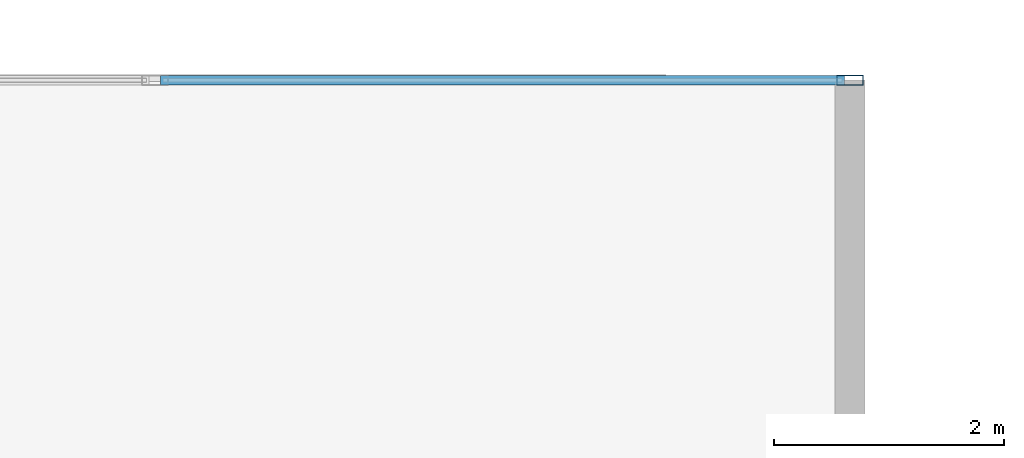
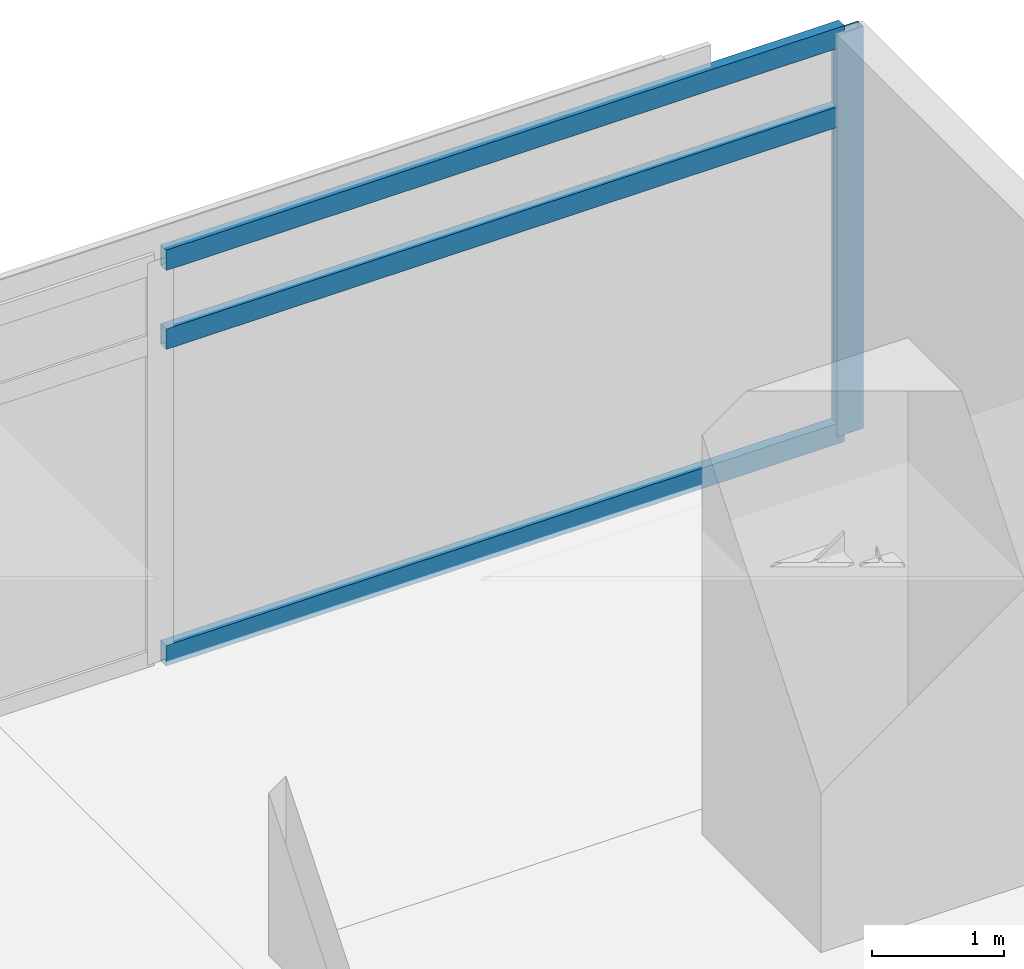
# One storey, part 12 of 21: 4 members, 1 element without a shape of its own.
"""IFC4 building model written with IfcOpenShell, lengths in metres."""

from ifc_helpers import new_model, si_unit, direction, frame, origin, origin_2d, place, context, subcontext, project, spatial, hollow_rectangle, extrude, material, material_profile, profile_set, type_object, element, aggregate, save


model = new_model("IFC4")

# Units and contexts
model_context = context("Model", 3, precision=1e-05, world=origin(), true_north=direction((0.0, 1.0)))
body_context = subcontext(model_context, "Body", "Model", "MODEL_VIEW")
ifc_project = project(units=[si_unit("LENGTHUNIT", "METRE"), si_unit("AREAUNIT", "SQUARE_METRE"), si_unit("VOLUMEUNIT", "CUBIC_METRE"), si_unit("PLANEANGLEUNIT", "RADIAN"), si_unit("MASSUNIT", "GRAM", prefix="KILO")], contexts=[model_context])

# Site, building, storey
site_placement = place(None, origin())
site = spatial("IfcSite", under=ifc_project, at=site_placement, CompositionType="ELEMENT")
building_placement = place(site_placement, origin())
building = spatial("IfcBuilding", under=site, at=building_placement, Name="Kovane Verandah Tower", CompositionType="ELEMENT")
storey_placement = place(building_placement, frame((0.0, 0.0, 31.60009765625)))
storey = spatial("IfcBuildingStorey", under=building, at=storey_placement, Name="L06", CompositionType="ELEMENT", Elevation=31.60009765625)

# Curtain wall, members
ifc_material_1 = material(Name="Champagne Anodised Aluminium Frame with Low-E Clear Laminated Glass", Category="aluminium")
curtain_wall_type = type_object("IfcCurtainWallType", Name="CW-SYS-02-LOW", PredefinedType="NOTDEFINED", material=ifc_material_1)
curtain_wall_placement = place(storey_placement, origin())
curtain_wall = element("IfcCurtainWall", 1, at=curtain_wall_placement, inside=storey, type_object=curtain_wall_type, Name="L06 N Unitised Curtain Wall", PredefinedType="NOTDEFINED")
ifc_material_2 = material(Name="Champagne Anodised Aluminium 6063-T6", Category="aluminium")
ifc_material_profile_1 = material_profile(ifc_material_2, hollow_rectangle(XDim=0.0849609375, YDim=0.22998046875, WallThickness=0.00390625, at=origin_2d()), Name="AL85x230x4")
ifc_profile_set_1 = profile_set([ifc_material_profile_1], Name="Champagne Anodised Aluminium 6063-T6")
member_type_1 = type_object("IfcMemberType", Name="CW-MUL-85x230", PredefinedType="MULLION", material=ifc_profile_set_1)
member_1_placement = place(storey_placement, frame((61.1357421875, 49.195068359375, 0.02001953125), z_axis=(0.0, 0.0, 1.0), x_axis=(0.0, 1.0, 0.0)))
member_1 = element("IfcMember", 2, at=member_1_placement, type_object=member_type_1, Name="L06 N Unitised Curtain Wall Mullion 1", PredefinedType="MULLION", context=body_context, shape_type="SweptSolid", body=[
    extrude(hollow_rectangle(XDim=0.0849609375, YDim=0.22998046875, WallThickness=0.00390625, at=origin_2d()), origin(), (0.0, 0.0, 1.0), 3.719970703125),
])
ifc_material_profile_2 = material_profile(ifc_material_2, hollow_rectangle(XDim=0.0849609375, YDim=0.18994140625, WallThickness=0.00390625, at=origin_2d()), Name="AL85x190x4")
ifc_profile_set_2 = profile_set([ifc_material_profile_2], Name="Champagne Anodised Aluminium 6063-T6")
member_type_2 = type_object("IfcMemberType", Name="CW-TRN-85x190", PredefinedType="USERDEFINED", material=ifc_profile_set_2)
member_2_placement = place(storey_placement, frame((61.085693359375, 49.195068359375, 0.0498046875), z_axis=(-1.0, 0.0, 0.0), x_axis=(0.0, -1.0, 0.0)))
member_2 = element("IfcMember", 3, at=member_2_placement, type_object=member_type_2, Name="L06 N Unitised Curtain Wall Transom TB Bay 1", ObjectType="TRANSOM", PredefinedType="USERDEFINED", context=body_context, shape_type="SweptSolid", body=[
    extrude(hollow_rectangle(XDim=0.0849609375, YDim=0.18994140625, WallThickness=0.00390625, at=origin_2d()), origin(), (0.0, 0.0, 1.0), 5.938720703125),
])
member_3_placement = place(storey_placement, frame((61.085693359375, 49.195068359375, 2.97998046875), z_axis=(-1.0, 0.0, 0.0), x_axis=(0.0, -1.0, 0.0)))
member_3 = element("IfcMember", 4, at=member_3_placement, type_object=member_type_2, Name="L06 N Unitised Curtain Wall Transom TM Bay 1", ObjectType="TRANSOM", PredefinedType="USERDEFINED", context=body_context, shape_type="SweptSolid", body=[
    extrude(hollow_rectangle(XDim=0.0849609375, YDim=0.18994140625, WallThickness=0.00390625, at=origin_2d()), origin(), (0.0, 0.0, 1.0), 5.938720703125),
])
member_4_placement = place(storey_placement, frame((61.085693359375, 49.195068359375, 3.7099609375), z_axis=(-1.0, 0.0, 0.0), x_axis=(0.0, -1.0, 0.0)))
member_4 = element("IfcMember", 5, at=member_4_placement, type_object=member_type_2, Name="L06 N Unitised Curtain Wall Transom TT Bay 1", ObjectType="TRANSOM", PredefinedType="USERDEFINED", context=body_context, shape_type="SweptSolid", body=[
    extrude(hollow_rectangle(XDim=0.0849609375, YDim=0.18994140625, WallThickness=0.00390625, at=origin_2d()), origin(), (0.0, 0.0, 1.0), 5.938720703125),
])
aggregate(curtain_wall, [member_1, member_2, member_3, member_4])

save(model, "model.ifc")
